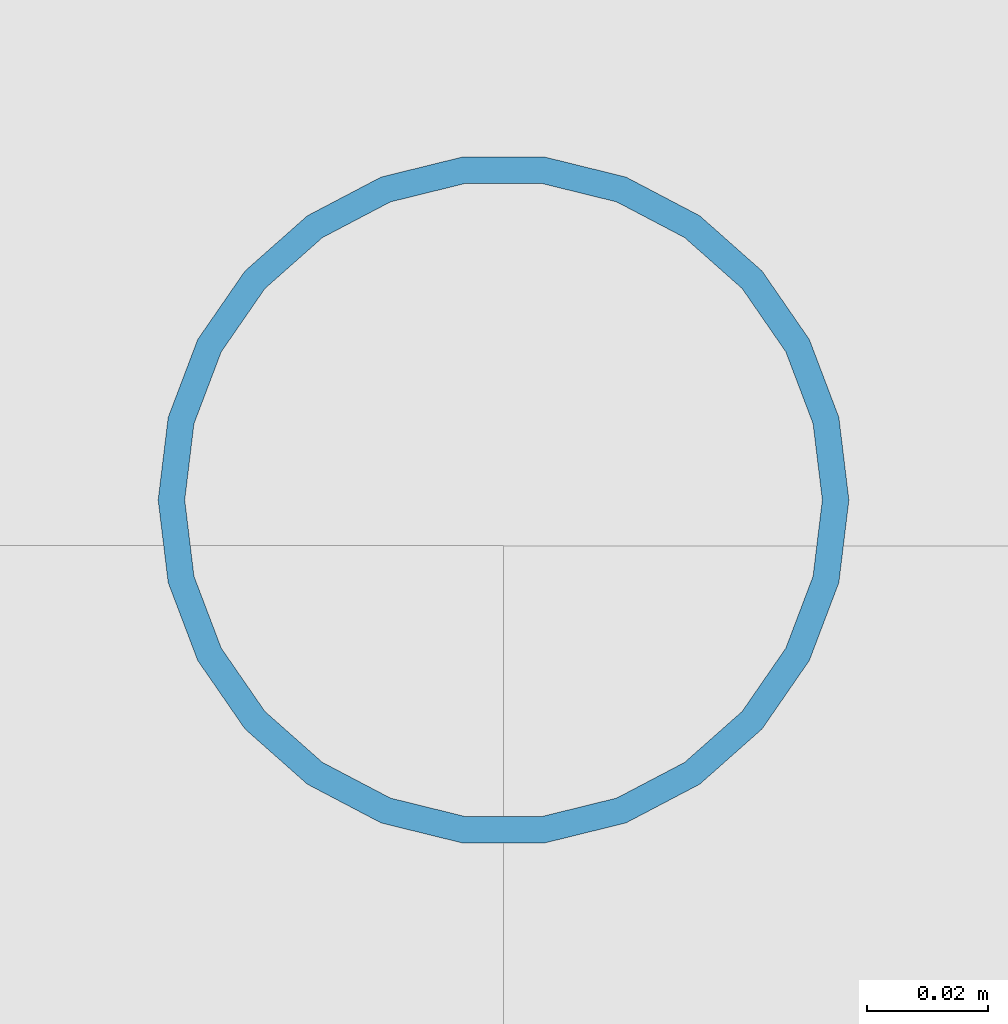
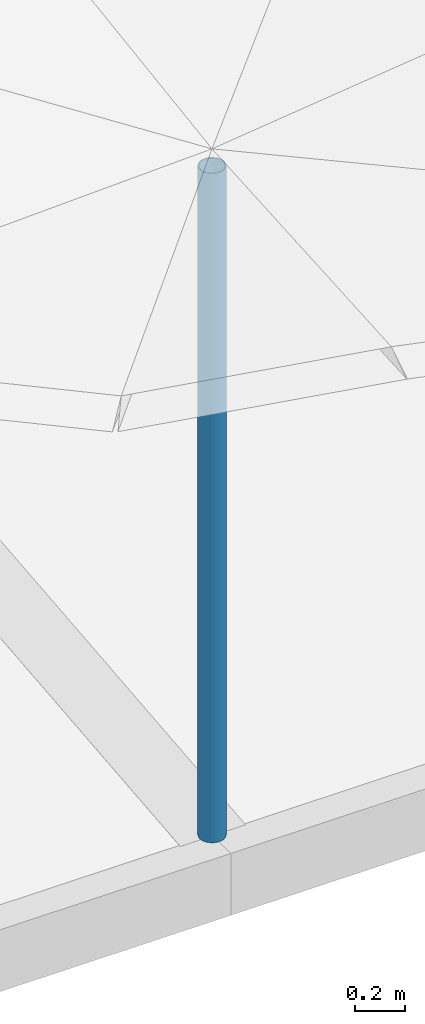
# One storey, part 14 of 46: 1 discrete accessory.
"""IFC4 building model written with IfcOpenShell, lengths in metres."""

import ifcopenshell
import ifcopenshell.guid

model = None  # the IFC model being written
_history = None  # IfcOwnerHistory: only IFC2X3 demands one
_inside = {}  # id of a spatial element -> (the spatial element, [elements in it])
_under = {}  # id of a project, library or spatial element -> (it, [spatial elements below it])
_declared = {}  # id of a project -> (the project, [libraries it declares])
_typed = {}  # id of a type object -> (the type object, [elements of that type])
_made_of = {}  # id of a material, layer set ... -> (it, [elements and type objects made of it])


def new_model(schema):
    """Start an empty IFC model of exactly this schema.

    Asked for "IFC4X3", IfcOpenShell would pick the latest addendum, in which some entities
    have other attributes; the version numbers below select the first issue.
    IFC2X3 requires an IfcOwnerHistory on every rooted entity: one is made here for all.
    """
    global model, _history
    if schema == "IFC4X3":
        model = ifcopenshell.file(schema_version=(4, 3, 0, 0))
    else:
        model = ifcopenshell.file(schema=schema)
    _inside.clear()
    _under.clear()
    _declared.clear()
    _typed.clear()
    _made_of.clear()
    _history = None
    if model.schema == "IFC2X3":
        org = make("IfcOrganization", Name="unknown")
        user = make(
            "IfcPersonAndOrganization",
            ThePerson=make("IfcPerson", FamilyName="unknown"),
            TheOrganization=org,
        )
        app = make(
            "IfcApplication",
            ApplicationDeveloper=org,
            Version="unknown",
            ApplicationFullName="unknown",
            ApplicationIdentifier="unknown",
        )
        _history = make(
            "IfcOwnerHistory",
            OwningUser=user,
            OwningApplication=app,
            ChangeAction="ADDED",
            CreationDate=0,
        )
    return model


def make(cls, **values):
    """One entity of the class cls with the attributes given. An attribute that is None is left unset."""
    return model.create_entity(
        cls, **{name: value for name, value in values.items() if value is not None}
    )


def rooted(cls, **values):
    """An entity with a GlobalId (a new one), such as an element, a storey or a relation."""
    return make(cls, GlobalId=ifcopenshell.guid.new(), OwnerHistory=_history, **values)


def si_unit(unit_type, name, prefix=None):
    """IfcSIUnit, for example si_unit("LENGTHUNIT", "METRE", prefix="MILLI")."""
    return make("IfcSIUnit", UnitType=unit_type, Prefix=prefix, Name=name)


def assignment(units):
    """IfcUnitAssignment: the units of a project."""
    return None if units is None else make("IfcUnitAssignment", Units=units)


def point(xyz):
    """IfcCartesianPoint."""
    return None if xyz is None else make("IfcCartesianPoint", Coordinates=xyz)


def direction(xyz):
    """IfcDirection."""
    return None if xyz is None else make("IfcDirection", DirectionRatios=xyz)


def frame(location, z_axis=None, x_axis=None):
    """IfcAxis2Placement3D, a coordinate frame: its origin and axes. An axis left out is left unset."""
    return make(
        "IfcAxis2Placement3D",
        Location=point(location),
        Axis=direction(z_axis),
        RefDirection=direction(x_axis),
    )


def frame_2d(location, x_axis=None):
    """IfcAxis2Placement2D, a coordinate frame in the plane: its origin and x axis."""
    return make(
        "IfcAxis2Placement2D", Location=point(location), RefDirection=direction(x_axis)
    )


def origin():
    """The frame at (0, 0, 0) with its axes left unset."""
    return frame((0.0, 0.0, 0.0))


def origin_2d():
    """The frame at (0, 0) in the plane with its x axis left unset."""
    return frame_2d((0.0, 0.0))


def place(relative_to, where):
    """IfcLocalPlacement: puts the frame where relative to a parent placement (None: the world)."""
    return make(
        "IfcLocalPlacement", PlacementRelTo=relative_to, RelativePlacement=where
    )


def context(
    kind, dimensions, precision=None, world=None, true_north=None, identifier=None
):
    """IfcGeometricRepresentationContext, for example the 3D "Model" context."""
    return make(
        "IfcGeometricRepresentationContext",
        ContextIdentifier=identifier,
        ContextType=kind,
        CoordinateSpaceDimension=dimensions,
        Precision=precision,
        WorldCoordinateSystem=world,
        TrueNorth=true_north,
    )


def subcontext(parent, identifier, kind, view, scale=None):
    """IfcGeometricRepresentationSubContext, for example "Body" below "Model"."""
    return make(
        "IfcGeometricRepresentationSubContext",
        ContextIdentifier=identifier,
        ContextType=kind,
        ParentContext=parent,
        TargetScale=scale,
        TargetView=view,
    )


def project(units=None, contexts=None):
    """IfcProject with its units and contexts."""
    return rooted(
        "IfcProject",
        Name="project",
        RepresentationContexts=contexts,
        UnitsInContext=assignment(units),
    )


def spatial(cls, under=None, at=None, **own):
    """A site, building, storey or space (cls), placed at a placement, below another one or the project."""
    s = rooted(cls, ObjectPlacement=at, **own)
    if under is not None:
        _under.setdefault(under.id(), (under, []))[1].append(s)
    return s


def profile(cls, at=None, kind="AREA", **sizes):
    """A parametric profile (cls). Its sizes go by their IFC names, for example OverallWidth=200.0."""
    return make(cls, ProfileType=kind, Position=at, **sizes)


def hollow_circle(**sizes):
    """IfcCircleHollowProfileDef."""
    return profile("IfcCircleHollowProfileDef", **sizes)


def extrude(swept, where, along, depth):
    """IfcExtrudedAreaSolid: the profile swept, set in the frame where, extruded along a direction by depth."""
    return make(
        "IfcExtrudedAreaSolid",
        SweptArea=swept,
        Position=where,
        ExtrudedDirection=direction(along),
        Depth=depth,
    )


def shape(context_of_items, identifier, shape_type, items):
    """IfcShapeRepresentation: the items that make up one representation, for example the "Body"."""
    return make(
        "IfcShapeRepresentation",
        ContextOfItems=context_of_items,
        RepresentationIdentifier=identifier,
        RepresentationType=shape_type,
        Items=items,
    )


def material(Name=None, Category=None):
    """IfcMaterial."""
    return make("IfcMaterial", Name=Name, Category=Category)


def material_profile(
    of_material, cross_section, Name=None, Category=None, Priority=None
):
    """IfcMaterialProfile: a cross section and its material."""
    return make(
        "IfcMaterialProfile",
        Name=Name,
        Material=of_material,
        Profile=cross_section,
        Priority=Priority,
        Category=Category,
    )


def profile_set(profiles, Name=None, composite=None):
    """IfcMaterialProfileSet."""
    return make(
        "IfcMaterialProfileSet",
        Name=Name,
        MaterialProfiles=profiles,
        CompositeProfile=composite,
    )


def made_of(thing, what):
    """Note that an element or type object is made of a material, layer set ...; save() writes the relation."""
    if what is not None:
        _made_of.setdefault(what.id(), (what, []))[1].append(thing)
    return thing


def type_object(cls, material=None, **own):
    """A type object (cls), such as IfcWallType, which elements share."""
    return made_of(rooted(cls, **own), material)


def element(
    cls,
    number,
    at=None,
    inside=None,
    cuts=None,
    type_object=None,
    material=None,
    context=None,
    identifier="Body",
    shape_type=None,
    held_by="IfcProductDefinitionShape",
    body=None,
    shapes=None,
    **own,
):
    """One element of the class cls, such as IfcWall. Its Tag is "e" and its number.

    at: its placement. inside: the storey or other place that contains it. cuts: it is an
    opening in that element (IfcRelVoidsElement). A single representation is given by context,
    identifier, shape_type and body (its items); several are given by shapes. held_by: the class
    of the entity that holds the representations. save() writes the other relations.
    """
    e = rooted(cls, Tag="e%d" % number, ObjectPlacement=at, **own)
    if body is not None:
        shapes = [shape(context, identifier, shape_type, body)]
    if shapes is not None:
        e.Representation = make(held_by, Representations=shapes)
    if inside is not None:
        _inside.setdefault(inside.id(), (inside, []))[1].append(e)
    if cuts is not None:
        rooted(
            "IfcRelVoidsElement", RelatingBuildingElement=cuts, RelatedOpeningElement=e
        )
    if type_object is not None:
        _typed.setdefault(type_object.id(), (type_object, []))[1].append(e)
    return made_of(e, material)


def aggregate(whole, parts):
    """IfcRelAggregates: a whole, such as a stair, and the parts it consists of."""
    return rooted("IfcRelAggregates", RelatingObject=whole, RelatedObjects=parts)


def save(model, path):
    """Write the relations noted so far, then the file.

    IfcRelAggregates (storeys below a building ...), IfcRelContainedInSpatialStructure (elements
    in a storey), IfcRelDefinesByType, IfcRelAssociatesMaterial and IfcRelDeclares: one each for
    every whole, place, type object, material and project.
    """
    for whole, parts in _under.values():
        aggregate(whole, parts)
    for where, things in _inside.values():
        rooted(
            "IfcRelContainedInSpatialStructure",
            RelatedElements=things,
            RelatingStructure=where,
        )
    for kind, things in _typed.values():
        rooted("IfcRelDefinesByType", RelatedObjects=things, RelatingType=kind)
    for what, things in _made_of.values():
        rooted("IfcRelAssociatesMaterial", RelatedObjects=things, RelatingMaterial=what)
    for by, libraries in _declared.values():
        rooted("IfcRelDeclares", RelatingContext=by, RelatedDefinitions=libraries)
    model.write(path)


model = new_model("IFC4")

# Units and contexts
model_context = context("Model", 3, precision=1e-05, world=origin(), true_north=direction((0.0, 1.0)))
body_context = subcontext(model_context, "Body", "Model", "MODEL_VIEW")
ifc_project = project(units=[si_unit("LENGTHUNIT", "METRE"), si_unit("AREAUNIT", "SQUARE_METRE"), si_unit("VOLUMEUNIT", "CUBIC_METRE"), si_unit("PLANEANGLEUNIT", "RADIAN"), si_unit("MASSUNIT", "GRAM", prefix="KILO")], contexts=[model_context])

# Site, building, storey
site_placement = place(None, origin())
site = spatial("IfcSite", under=ifc_project, at=site_placement, CompositionType="ELEMENT")
building_placement = place(site_placement, origin())
building = spatial("IfcBuilding", under=site, at=building_placement, Name="Rain Tree Exposition and Congress Centre", CompositionType="ELEMENT")
storey_placement = place(building_placement, frame((0.0, 0.0, 27.0)))
storey = spatial("IfcBuildingStorey", under=building, at=storey_placement, Name="ROOF VAULT CREST", CompositionType="ELEMENT", Elevation=27.0)

# Discrete accessory
ifc_material = material(Name="Steel S355J2H", Category="steel")
ifc_material_profile = material_profile(ifc_material, hollow_circle(Radius=0.05712890625, WallThickness=0.00439453125, at=origin_2d()), Name="CHS 114x4.5")
ifc_profile_set = profile_set([ifc_material_profile], Name="Steel S355J2H")
discrete_accessory_type = type_object("IfcDiscreteAccessoryType", Name="Roof skin post CHS 114x4.5", PredefinedType="BRACKET", material=ifc_profile_set)
discrete_accessory_placement = place(storey_placement, frame((193.199951171875, 117.60009765625, 0.551025390625), z_axis=(0.0, 0.0, 1.0), x_axis=(1.0, 0.0, 0.0)))
element("IfcDiscreteAccessory", 1, at=discrete_accessory_placement, inside=storey, type_object=discrete_accessory_type, Name="Roof skin post B33", PredefinedType="BRACKET", context=body_context, shape_type="SweptSolid", body=[
    extrude(hollow_circle(Radius=0.05712890625, WallThickness=0.00439453125, at=origin_2d()), origin(), (0.0, 0.0, 1.0), 3.24560546875),
])

save(model, "model.ifc")
